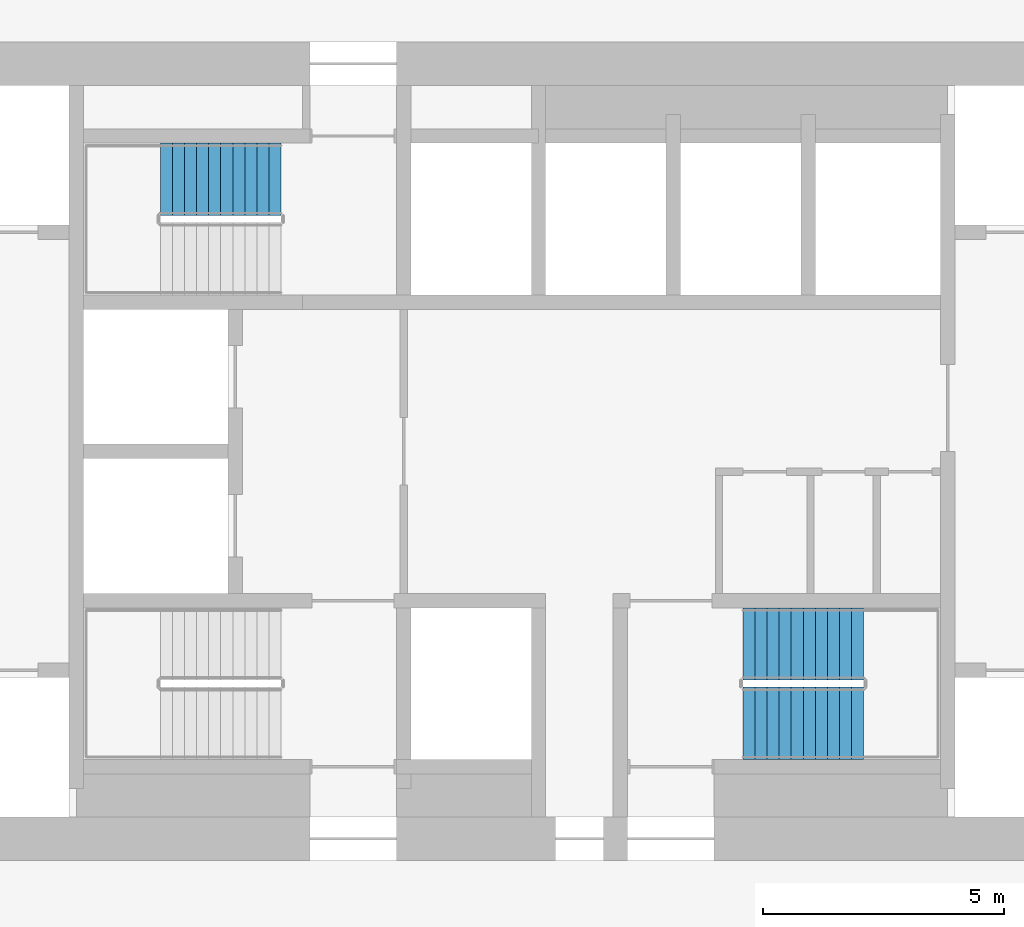
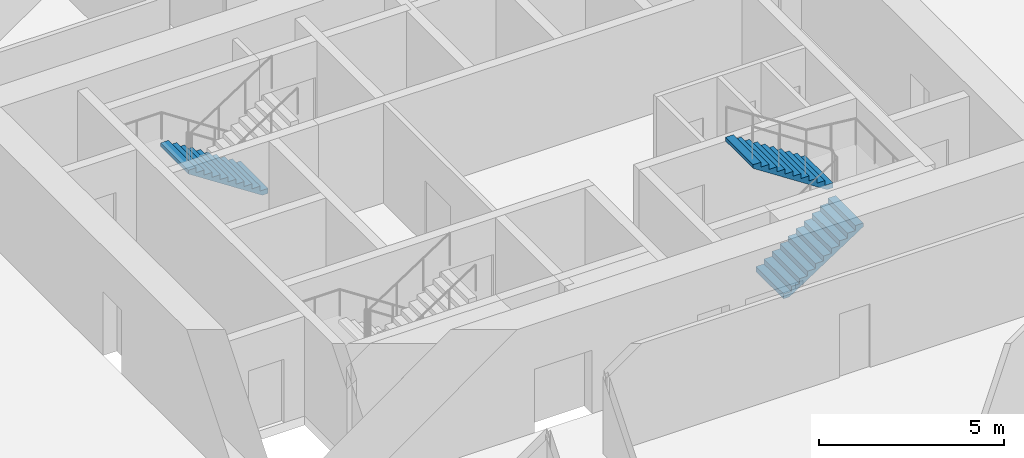
# One storey, part 8 of 9: 3 stair flights, 2 elements without a shape of their own.
"""IFC4 building model written with IfcOpenShell, lengths in metres."""

from ifc_helpers import new_model, si_unit, direction, frame, origin, place, context, subcontext, project, spatial, polyline, outline, extrude, material, type_object, element, aggregate, save


model = new_model("IFC4")

# Units and contexts
model_context = context("Model", 3, precision=1e-05, world=origin(), true_north=direction((0.0, 1.0)))
body_context = subcontext(model_context, "Body", "Model", "MODEL_VIEW")
ifc_project = project(units=[si_unit("LENGTHUNIT", "METRE"), si_unit("AREAUNIT", "SQUARE_METRE"), si_unit("VOLUMEUNIT", "CUBIC_METRE"), si_unit("PLANEANGLEUNIT", "RADIAN"), si_unit("MASSUNIT", "GRAM", prefix="KILO")], contexts=[model_context])

# Site, building, storey
site_placement = place(None, origin())
site = spatial("IfcSite", under=ifc_project, at=site_placement, CompositionType="ELEMENT")
building_placement = place(site_placement, origin())
building = spatial("IfcBuilding", under=site, at=building_placement, Name="Tracery Tower", CompositionType="ELEMENT")
storey_placement = place(building_placement, frame((0.0, 0.0, 151.199951171875)))
storey = spatial("IfcBuildingStorey", under=building, at=storey_placement, Name="L38", CompositionType="ELEMENT", Elevation=151.199951171875)

# Stair, stair flight
ifc_material_1 = material(Name="Concrete C32/40", Category="concrete")
stair_type = type_object("IfcStairType", Name="Core stair 22 risers", PredefinedType="HALF_TURN_STAIR", material=ifc_material_1)
stair_1_placement = place(storey_placement, origin())
stair_1 = element("IfcStair", 1, at=stair_1_placement, inside=storey, type_object=stair_type, Name="L38 stair ST3", PredefinedType="HALF_TURN_STAIR")
ifc_material_2 = material(Name="Concrete C32/40", Category="concrete")
stair_flight_type = type_object("IfcStairFlightType", Name="Core stair flight 11 risers", PredefinedType="STRAIGHT", material=ifc_material_2)
stair_flight_1_placement = place(storey_placement, frame((-4.800048828125, 5.64990234375, 0.0), z_axis=(0.0, 0.0, 1.0), x_axis=(-1.0, 0.0, 0.0)))
stair_flight_1 = element("IfcStairFlight", 2, at=stair_flight_1_placement, type_object=stair_flight_type, Name="ST3 flight 1", NumberOfRisers=11, NumberOfTreads=10, PredefinedType="STRAIGHT", RiserHeight=0.163636364, TreadLength=0.25, context=body_context, shape_type="SweptSolid", body=[
    extrude(outline(polyline([(0.0, 0.0), (0.0, 0.002685546875), (0.0, 0.00537109375), (0.0, 0.008056640625), (0.0, 0.0107421875), (0.0, 0.013427734375), (0.0, 0.01611328125), (0.0, 0.018798828125), (0.0, 0.021484375), (0.0, 0.024169921875), (0.0, 0.02685546875), (0.0, 0.029541015625), (0.0, 0.0322265625), (0.0, 0.034912109375), (0.0, 0.03759765625), (0.0, 0.040283203125), (0.0, 0.04296875), (0.0, 0.045654296875), (0.0, 0.04833984375), (0.0, 0.051025390625), (0.0, 0.0537109375), (0.0, 0.056396484375), (0.0, 0.05908203125), (0.0, 0.061767578125), (0.0, 0.064453125), (0.0, 0.067138671875), (0.0, 0.06982421875), (0.0, 0.072509765625), (0.0, 0.0751953125), (0.0, 0.077880859375), (0.0, 0.08056640625), (0.0, 0.083251953125), (0.0, 0.0859375), (0.0, 0.088623046875), (0.0, 0.09130859375), (0.0, 0.093994140625), (0.0, 0.0966796875), (0.0, 0.099365234375), (0.0, 0.10205078125), (0.0, 0.104736328125), (0.0, 0.107421875), (0.0, 0.10986328125), (0.0, 0.112548828125), (0.0, 0.115234375), (0.0, 0.117919921875), (0.0, 0.12060546875), (0.0, 0.123291015625), (0.0, 0.1259765625), (0.0, 0.128662109375), (0.0, 0.13134765625), (0.0, 0.134033203125), (0.0, 0.13671875), (0.0, 0.139404296875), (0.0, 0.14208984375), (0.0, 0.144775390625), (0.0, 0.1474609375), (0.0, 0.150146484375), (0.0, 0.15283203125), (0.0, 0.155517578125), (0.0, 0.158203125), (0.0, 0.160888671875), (0.0, 0.16357421875), (0.25, 0.16357421875), (0.25, 0.327392578125), (0.5, 0.327392578125), (0.5, 0.490966796875), (0.75, 0.490966796875), (0.75, 0.654541015625), (1.0, 0.654541015625), (1.0, 0.818115234375), (1.25, 0.818115234375), (1.25, 0.98193359375), (1.5, 0.98193359375), (1.5, 1.1455078125), (1.75, 1.1455078125), (1.75, 1.30908203125), (2.0, 1.30908203125), (2.0, 1.47265625), (2.25, 1.47265625), (2.25, 1.636474609375), (2.5, 1.636474609375), (2.5, 1.634521484375), (2.5, 1.63232421875), (2.5, 1.63037109375), (2.5, 1.62841796875), (2.5, 1.62646484375), (2.5, 1.62451171875), (2.5, 1.62255859375), (2.5, 1.62060546875), (2.5, 1.61865234375), (2.5, 1.61669921875), (2.5, 1.61474609375), (2.5, 1.61279296875), (2.5, 1.61083984375), (2.5, 1.60888671875), (2.5, 1.60693359375), (2.5, 1.60498046875), (2.5, 1.60302734375), (2.5, 1.60107421875), (2.5, 1.59912109375), (2.5, 1.59716796875), (2.5, 1.59521484375), (2.5, 1.59326171875), (2.5, 1.59130859375), (2.5, 1.58935546875), (2.5, 1.58740234375), (2.5, 1.58544921875), (2.5, 1.58349609375), (2.5, 1.58154296875), (2.5, 1.57958984375), (2.5, 1.57763671875), (2.5, 1.57568359375), (2.5, 1.573486328125), (2.5, 1.571533203125), (2.5, 1.569580078125), (2.5, 1.567626953125), (2.5, 1.565673828125), (2.5, 1.563720703125), (2.5, 1.561767578125), (2.5, 1.559814453125), (2.5, 1.557861328125), (2.5, 1.555908203125), (2.5, 1.553955078125), (2.5, 1.552001953125), (2.5, 1.550048828125), (2.5, 1.548095703125), (2.5, 1.546142578125), (2.5, 1.544189453125), (2.5, 1.542236328125), (2.5, 1.540283203125), (2.5, 1.538330078125), (2.5, 1.536376953125), (2.5, 1.534423828125), (2.5, 1.532470703125), (2.5, 1.530517578125), (2.5, 1.528564453125), (2.5, 1.526611328125), (2.5, 1.524658203125), (2.5, 1.522705078125), (2.5, 1.520751953125), (2.5, 1.518798828125), (2.5, 1.516845703125), (0.182861328125, 0.0), (0.0, 0.0)])), frame((0.0, 0.75, 0.0), z_axis=(0.0, -1.0, 0.0), x_axis=(1.0, 0.0, 0.0)), (0.0, 0.0, 1.0), 1.5),
])
aggregate(stair_1, [stair_flight_1])

# Stair, stair flights
stair_2_placement = place(storey_placement, origin())
stair_2 = element("IfcStair", 3, at=stair_2_placement, inside=storey, type_object=stair_type, Name="L38 stair ST2", PredefinedType="HALF_TURN_STAIR")
stair_flight_2_placement = place(storey_placement, frame((4.800048828125, -5.64990234375, 0.0), z_axis=(0.0, 0.0, 1.0), x_axis=(1.0, 0.0, 0.0)))
stair_flight_2 = element("IfcStairFlight", 4, at=stair_flight_2_placement, type_object=stair_flight_type, Name="ST2 flight 1", NumberOfRisers=11, NumberOfTreads=10, PredefinedType="STRAIGHT", RiserHeight=0.163636364, TreadLength=0.25, context=body_context, shape_type="SweptSolid", body=[
    extrude(outline(polyline([(0.0, 0.0), (0.0, 0.002685546875), (0.0, 0.00537109375), (0.0, 0.008056640625), (0.0, 0.0107421875), (0.0, 0.013427734375), (0.0, 0.01611328125), (0.0, 0.018798828125), (0.0, 0.021484375), (0.0, 0.024169921875), (0.0, 0.02685546875), (0.0, 0.029541015625), (0.0, 0.0322265625), (0.0, 0.034912109375), (0.0, 0.03759765625), (0.0, 0.040283203125), (0.0, 0.04296875), (0.0, 0.045654296875), (0.0, 0.04833984375), (0.0, 0.051025390625), (0.0, 0.0537109375), (0.0, 0.056396484375), (0.0, 0.05908203125), (0.0, 0.061767578125), (0.0, 0.064453125), (0.0, 0.067138671875), (0.0, 0.06982421875), (0.0, 0.072509765625), (0.0, 0.0751953125), (0.0, 0.077880859375), (0.0, 0.08056640625), (0.0, 0.083251953125), (0.0, 0.0859375), (0.0, 0.088623046875), (0.0, 0.09130859375), (0.0, 0.093994140625), (0.0, 0.0966796875), (0.0, 0.099365234375), (0.0, 0.10205078125), (0.0, 0.104736328125), (0.0, 0.107421875), (0.0, 0.10986328125), (0.0, 0.112548828125), (0.0, 0.115234375), (0.0, 0.117919921875), (0.0, 0.12060546875), (0.0, 0.123291015625), (0.0, 0.1259765625), (0.0, 0.128662109375), (0.0, 0.13134765625), (0.0, 0.134033203125), (0.0, 0.13671875), (0.0, 0.139404296875), (0.0, 0.14208984375), (0.0, 0.144775390625), (0.0, 0.1474609375), (0.0, 0.150146484375), (0.0, 0.15283203125), (0.0, 0.155517578125), (0.0, 0.158203125), (0.0, 0.160888671875), (0.0, 0.16357421875), (0.25, 0.16357421875), (0.25, 0.327392578125), (0.5, 0.327392578125), (0.5, 0.490966796875), (0.75, 0.490966796875), (0.75, 0.654541015625), (1.0, 0.654541015625), (1.0, 0.818115234375), (1.25, 0.818115234375), (1.25, 0.98193359375), (1.5, 0.98193359375), (1.5, 1.1455078125), (1.75, 1.1455078125), (1.75, 1.30908203125), (2.0, 1.30908203125), (2.0, 1.47265625), (2.25, 1.47265625), (2.25, 1.636474609375), (2.5, 1.636474609375), (2.5, 1.634521484375), (2.5, 1.63232421875), (2.5, 1.63037109375), (2.5, 1.62841796875), (2.5, 1.62646484375), (2.5, 1.62451171875), (2.5, 1.62255859375), (2.5, 1.62060546875), (2.5, 1.61865234375), (2.5, 1.61669921875), (2.5, 1.61474609375), (2.5, 1.61279296875), (2.5, 1.61083984375), (2.5, 1.60888671875), (2.5, 1.60693359375), (2.5, 1.60498046875), (2.5, 1.60302734375), (2.5, 1.60107421875), (2.5, 1.59912109375), (2.5, 1.59716796875), (2.5, 1.59521484375), (2.5, 1.59326171875), (2.5, 1.59130859375), (2.5, 1.58935546875), (2.5, 1.58740234375), (2.5, 1.58544921875), (2.5, 1.58349609375), (2.5, 1.58154296875), (2.5, 1.57958984375), (2.5, 1.57763671875), (2.5, 1.57568359375), (2.5, 1.573486328125), (2.5, 1.571533203125), (2.5, 1.569580078125), (2.5, 1.567626953125), (2.5, 1.565673828125), (2.5, 1.563720703125), (2.5, 1.561767578125), (2.5, 1.559814453125), (2.5, 1.557861328125), (2.5, 1.555908203125), (2.5, 1.553955078125), (2.5, 1.552001953125), (2.5, 1.550048828125), (2.5, 1.548095703125), (2.5, 1.546142578125), (2.5, 1.544189453125), (2.5, 1.542236328125), (2.5, 1.540283203125), (2.5, 1.538330078125), (2.5, 1.536376953125), (2.5, 1.534423828125), (2.5, 1.532470703125), (2.5, 1.530517578125), (2.5, 1.528564453125), (2.5, 1.526611328125), (2.5, 1.524658203125), (2.5, 1.522705078125), (2.5, 1.520751953125), (2.5, 1.518798828125), (2.5, 1.516845703125), (0.182861328125, 0.0), (0.0, 0.0)])), frame((0.0, 0.75, 0.0), z_axis=(0.0, -1.0, 0.0), x_axis=(1.0, 0.0, 0.0)), (0.0, 0.0, 1.0), 1.5),
])
stair_flight_3_placement = place(storey_placement, frame((7.300048828125, -4.0, 1.800048828125), z_axis=(0.0, 0.0, 1.0), x_axis=(-1.0, 0.0, 0.0)))
stair_flight_3 = element("IfcStairFlight", 5, at=stair_flight_3_placement, type_object=stair_flight_type, Name="ST2 flight 2", NumberOfRisers=11, NumberOfTreads=10, PredefinedType="STRAIGHT", RiserHeight=0.163636364, TreadLength=0.25, context=body_context, shape_type="SweptSolid", body=[
    extrude(outline(polyline([(0.0, 0.0), (0.0, 0.002685546875), (0.0, 0.00537109375), (0.0, 0.008056640625), (0.0, 0.0107421875), (0.0, 0.013427734375), (0.0, 0.01611328125), (0.0, 0.018798828125), (0.0, 0.021484375), (0.0, 0.024169921875), (0.0, 0.02685546875), (0.0, 0.029541015625), (0.0, 0.0322265625), (0.0, 0.034912109375), (0.0, 0.03759765625), (0.0, 0.040283203125), (0.0, 0.04296875), (0.0, 0.045654296875), (0.0, 0.04833984375), (0.0, 0.051025390625), (0.0, 0.0537109375), (0.0, 0.056396484375), (0.0, 0.05908203125), (0.0, 0.061767578125), (0.0, 0.064453125), (0.0, 0.067138671875), (0.0, 0.06982421875), (0.0, 0.072509765625), (0.0, 0.0751953125), (0.0, 0.077880859375), (0.0, 0.08056640625), (0.0, 0.083251953125), (0.0, 0.0859375), (0.0, 0.088623046875), (0.0, 0.09130859375), (0.0, 0.093994140625), (0.0, 0.0966796875), (0.0, 0.099365234375), (0.0, 0.10205078125), (0.0, 0.104736328125), (0.0, 0.107421875), (0.0, 0.10986328125), (0.0, 0.112548828125), (0.0, 0.115234375), (0.0, 0.117919921875), (0.0, 0.12060546875), (0.0, 0.123291015625), (0.0, 0.1259765625), (0.0, 0.128662109375), (0.0, 0.13134765625), (0.0, 0.134033203125), (0.0, 0.13671875), (0.0, 0.139404296875), (0.0, 0.14208984375), (0.0, 0.144775390625), (0.0, 0.1474609375), (0.0, 0.150146484375), (0.0, 0.15283203125), (0.0, 0.155517578125), (0.0, 0.158203125), (0.0, 0.160888671875), (0.0, 0.16357421875), (0.25, 0.16357421875), (0.25, 0.327392578125), (0.5, 0.327392578125), (0.5, 0.490966796875), (0.75, 0.490966796875), (0.75, 0.654541015625), (1.0, 0.654541015625), (1.0, 0.818115234375), (1.25, 0.818115234375), (1.25, 0.98193359375), (1.5, 0.98193359375), (1.5, 1.1455078125), (1.75, 1.1455078125), (1.75, 1.30908203125), (2.0, 1.30908203125), (2.0, 1.47265625), (2.25, 1.47265625), (2.25, 1.636474609375), (2.5, 1.636474609375), (2.5, 1.634521484375), (2.5, 1.63232421875), (2.5, 1.63037109375), (2.5, 1.62841796875), (2.5, 1.62646484375), (2.5, 1.62451171875), (2.5, 1.62255859375), (2.5, 1.62060546875), (2.5, 1.61865234375), (2.5, 1.61669921875), (2.5, 1.61474609375), (2.5, 1.61279296875), (2.5, 1.61083984375), (2.5, 1.60888671875), (2.5, 1.60693359375), (2.5, 1.60498046875), (2.5, 1.60302734375), (2.5, 1.60107421875), (2.5, 1.59912109375), (2.5, 1.59716796875), (2.5, 1.59521484375), (2.5, 1.59326171875), (2.5, 1.59130859375), (2.5, 1.58935546875), (2.5, 1.58740234375), (2.5, 1.58544921875), (2.5, 1.58349609375), (2.5, 1.58154296875), (2.5, 1.57958984375), (2.5, 1.57763671875), (2.5, 1.57568359375), (2.5, 1.573486328125), (2.5, 1.571533203125), (2.5, 1.569580078125), (2.5, 1.567626953125), (2.5, 1.565673828125), (2.5, 1.563720703125), (2.5, 1.561767578125), (2.5, 1.559814453125), (2.5, 1.557861328125), (2.5, 1.555908203125), (2.5, 1.553955078125), (2.5, 1.552001953125), (2.5, 1.550048828125), (2.5, 1.548095703125), (2.5, 1.546142578125), (2.5, 1.544189453125), (2.5, 1.542236328125), (2.5, 1.540283203125), (2.5, 1.538330078125), (2.5, 1.536376953125), (2.5, 1.534423828125), (2.5, 1.532470703125), (2.5, 1.530517578125), (2.5, 1.528564453125), (2.5, 1.526611328125), (2.5, 1.524658203125), (2.5, 1.522705078125), (2.5, 1.520751953125), (2.5, 1.518798828125), (2.5, 1.516845703125), (0.182861328125, 0.0), (0.0, 0.0)])), frame((0.0, 0.75, 0.0), z_axis=(0.0, -1.0, 0.0), x_axis=(1.0, 0.0, 0.0)), (0.0, 0.0, 1.0), 1.5),
])
aggregate(stair_2, [stair_flight_2, stair_flight_3])

save(model, "model.ifc")
